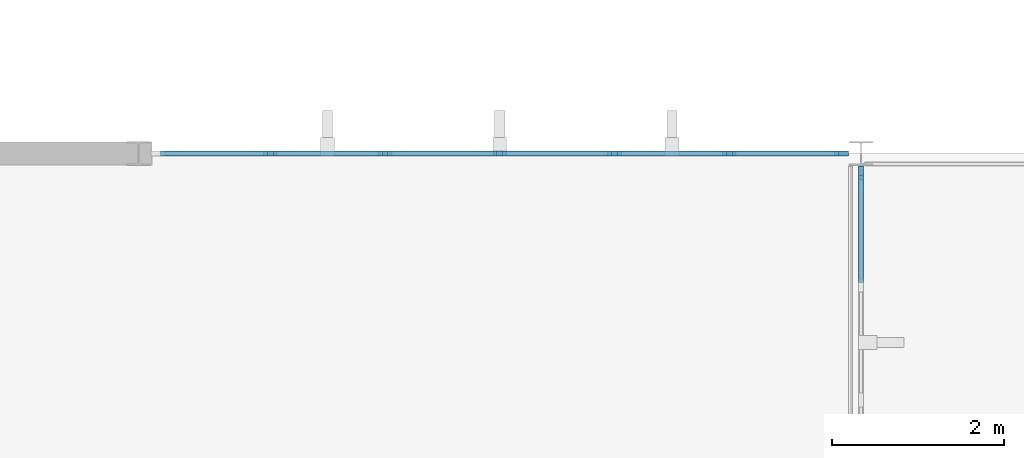
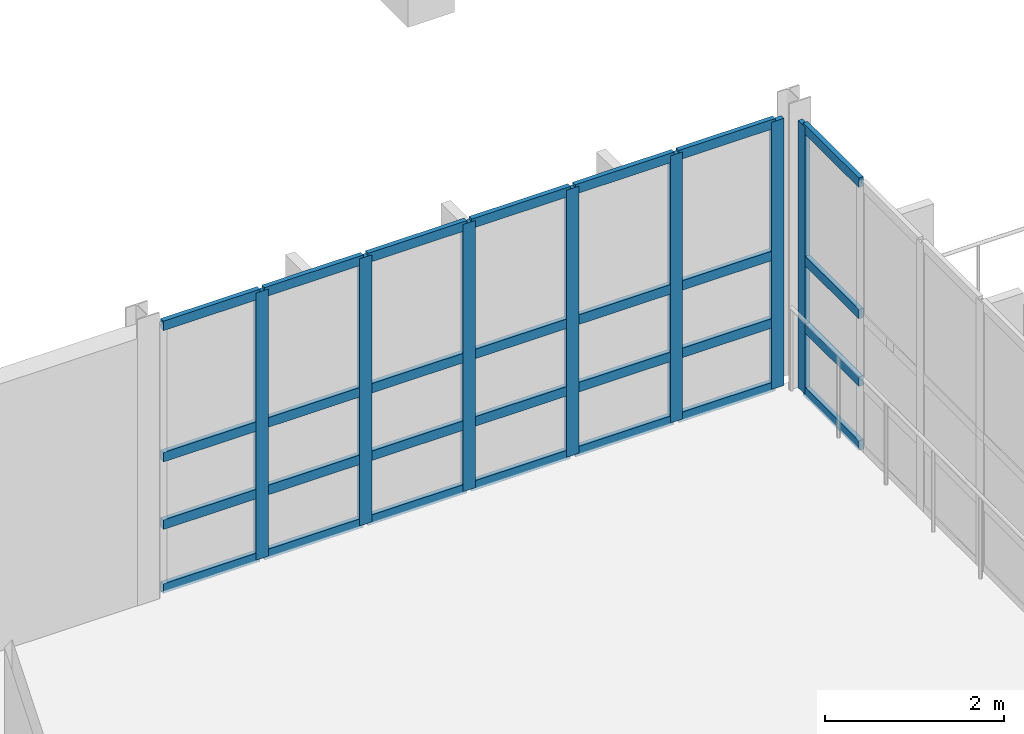
# One storey, part 17 of 35: 35 members, 2 elements without a shape of their own.
"""IFC4 building model written with IfcOpenShell, lengths in metres."""

import ifcopenshell
import ifcopenshell.guid

model = None  # the IFC model being written
_history = None  # IfcOwnerHistory: only IFC2X3 demands one
_inside = {}  # id of a spatial element -> (the spatial element, [elements in it])
_under = {}  # id of a project, library or spatial element -> (it, [spatial elements below it])
_declared = {}  # id of a project -> (the project, [libraries it declares])
_typed = {}  # id of a type object -> (the type object, [elements of that type])
_made_of = {}  # id of a material, layer set ... -> (it, [elements and type objects made of it])


def new_model(schema):
    """Start an empty IFC model of exactly this schema.

    Asked for "IFC4X3", IfcOpenShell would pick the latest addendum, in which some entities
    have other attributes; the version numbers below select the first issue.
    IFC2X3 requires an IfcOwnerHistory on every rooted entity: one is made here for all.
    """
    global model, _history
    if schema == "IFC4X3":
        model = ifcopenshell.file(schema_version=(4, 3, 0, 0))
    else:
        model = ifcopenshell.file(schema=schema)
    _inside.clear()
    _under.clear()
    _declared.clear()
    _typed.clear()
    _made_of.clear()
    _history = None
    if model.schema == "IFC2X3":
        org = make("IfcOrganization", Name="unknown")
        user = make(
            "IfcPersonAndOrganization",
            ThePerson=make("IfcPerson", FamilyName="unknown"),
            TheOrganization=org,
        )
        app = make(
            "IfcApplication",
            ApplicationDeveloper=org,
            Version="unknown",
            ApplicationFullName="unknown",
            ApplicationIdentifier="unknown",
        )
        _history = make(
            "IfcOwnerHistory",
            OwningUser=user,
            OwningApplication=app,
            ChangeAction="ADDED",
            CreationDate=0,
        )
    return model


def make(cls, **values):
    """One entity of the class cls with the attributes given. An attribute that is None is left unset."""
    return model.create_entity(
        cls, **{name: value for name, value in values.items() if value is not None}
    )


def rooted(cls, **values):
    """An entity with a GlobalId (a new one), such as an element, a storey or a relation."""
    return make(cls, GlobalId=ifcopenshell.guid.new(), OwnerHistory=_history, **values)


def si_unit(unit_type, name, prefix=None):
    """IfcSIUnit, for example si_unit("LENGTHUNIT", "METRE", prefix="MILLI")."""
    return make("IfcSIUnit", UnitType=unit_type, Prefix=prefix, Name=name)


def assignment(units):
    """IfcUnitAssignment: the units of a project."""
    return None if units is None else make("IfcUnitAssignment", Units=units)


def point(xyz):
    """IfcCartesianPoint."""
    return None if xyz is None else make("IfcCartesianPoint", Coordinates=xyz)


def direction(xyz):
    """IfcDirection."""
    return None if xyz is None else make("IfcDirection", DirectionRatios=xyz)


def frame(location, z_axis=None, x_axis=None):
    """IfcAxis2Placement3D, a coordinate frame: its origin and axes. An axis left out is left unset."""
    return make(
        "IfcAxis2Placement3D",
        Location=point(location),
        Axis=direction(z_axis),
        RefDirection=direction(x_axis),
    )


def frame_2d(location, x_axis=None):
    """IfcAxis2Placement2D, a coordinate frame in the plane: its origin and x axis."""
    return make(
        "IfcAxis2Placement2D", Location=point(location), RefDirection=direction(x_axis)
    )


def origin():
    """The frame at (0, 0, 0) with its axes left unset."""
    return frame((0.0, 0.0, 0.0))


def origin_2d():
    """The frame at (0, 0) in the plane with its x axis left unset."""
    return frame_2d((0.0, 0.0))


def place(relative_to, where):
    """IfcLocalPlacement: puts the frame where relative to a parent placement (None: the world)."""
    return make(
        "IfcLocalPlacement", PlacementRelTo=relative_to, RelativePlacement=where
    )


def context(
    kind, dimensions, precision=None, world=None, true_north=None, identifier=None
):
    """IfcGeometricRepresentationContext, for example the 3D "Model" context."""
    return make(
        "IfcGeometricRepresentationContext",
        ContextIdentifier=identifier,
        ContextType=kind,
        CoordinateSpaceDimension=dimensions,
        Precision=precision,
        WorldCoordinateSystem=world,
        TrueNorth=true_north,
    )


def subcontext(parent, identifier, kind, view, scale=None):
    """IfcGeometricRepresentationSubContext, for example "Body" below "Model"."""
    return make(
        "IfcGeometricRepresentationSubContext",
        ContextIdentifier=identifier,
        ContextType=kind,
        ParentContext=parent,
        TargetScale=scale,
        TargetView=view,
    )


def project(units=None, contexts=None):
    """IfcProject with its units and contexts."""
    return rooted(
        "IfcProject",
        Name="project",
        RepresentationContexts=contexts,
        UnitsInContext=assignment(units),
    )


def spatial(cls, under=None, at=None, **own):
    """A site, building, storey or space (cls), placed at a placement, below another one or the project."""
    s = rooted(cls, ObjectPlacement=at, **own)
    if under is not None:
        _under.setdefault(under.id(), (under, []))[1].append(s)
    return s


def profile(cls, at=None, kind="AREA", **sizes):
    """A parametric profile (cls). Its sizes go by their IFC names, for example OverallWidth=200.0."""
    return make(cls, ProfileType=kind, Position=at, **sizes)


def rectangle(**sizes):
    """IfcRectangleProfileDef."""
    return profile("IfcRectangleProfileDef", **sizes)


def extrude(swept, where, along, depth):
    """IfcExtrudedAreaSolid: the profile swept, set in the frame where, extruded along a direction by depth."""
    return make(
        "IfcExtrudedAreaSolid",
        SweptArea=swept,
        Position=where,
        ExtrudedDirection=direction(along),
        Depth=depth,
    )


def shape(context_of_items, identifier, shape_type, items):
    """IfcShapeRepresentation: the items that make up one representation, for example the "Body"."""
    return make(
        "IfcShapeRepresentation",
        ContextOfItems=context_of_items,
        RepresentationIdentifier=identifier,
        RepresentationType=shape_type,
        Items=items,
    )


def material(Name=None, Category=None):
    """IfcMaterial."""
    return make("IfcMaterial", Name=Name, Category=Category)


def material_profile(
    of_material, cross_section, Name=None, Category=None, Priority=None
):
    """IfcMaterialProfile: a cross section and its material."""
    return make(
        "IfcMaterialProfile",
        Name=Name,
        Material=of_material,
        Profile=cross_section,
        Priority=Priority,
        Category=Category,
    )


def profile_set(profiles, Name=None, composite=None):
    """IfcMaterialProfileSet."""
    return make(
        "IfcMaterialProfileSet",
        Name=Name,
        MaterialProfiles=profiles,
        CompositeProfile=composite,
    )


def made_of(thing, what):
    """Note that an element or type object is made of a material, layer set ...; save() writes the relation."""
    if what is not None:
        _made_of.setdefault(what.id(), (what, []))[1].append(thing)
    return thing


def type_object(cls, material=None, **own):
    """A type object (cls), such as IfcWallType, which elements share."""
    return made_of(rooted(cls, **own), material)


def element(
    cls,
    number,
    at=None,
    inside=None,
    cuts=None,
    type_object=None,
    material=None,
    context=None,
    identifier="Body",
    shape_type=None,
    held_by="IfcProductDefinitionShape",
    body=None,
    shapes=None,
    **own,
):
    """One element of the class cls, such as IfcWall. Its Tag is "e" and its number.

    at: its placement. inside: the storey or other place that contains it. cuts: it is an
    opening in that element (IfcRelVoidsElement). A single representation is given by context,
    identifier, shape_type and body (its items); several are given by shapes. held_by: the class
    of the entity that holds the representations. save() writes the other relations.
    """
    e = rooted(cls, Tag="e%d" % number, ObjectPlacement=at, **own)
    if body is not None:
        shapes = [shape(context, identifier, shape_type, body)]
    if shapes is not None:
        e.Representation = make(held_by, Representations=shapes)
    if inside is not None:
        _inside.setdefault(inside.id(), (inside, []))[1].append(e)
    if cuts is not None:
        rooted(
            "IfcRelVoidsElement", RelatingBuildingElement=cuts, RelatedOpeningElement=e
        )
    if type_object is not None:
        _typed.setdefault(type_object.id(), (type_object, []))[1].append(e)
    return made_of(e, material)


def aggregate(whole, parts):
    """IfcRelAggregates: a whole, such as a stair, and the parts it consists of."""
    return rooted("IfcRelAggregates", RelatingObject=whole, RelatedObjects=parts)


def save(model, path):
    """Write the relations noted so far, then the file.

    IfcRelAggregates (storeys below a building ...), IfcRelContainedInSpatialStructure (elements
    in a storey), IfcRelDefinesByType, IfcRelAssociatesMaterial and IfcRelDeclares: one each for
    every whole, place, type object, material and project.
    """
    for whole, parts in _under.values():
        aggregate(whole, parts)
    for where, things in _inside.values():
        rooted(
            "IfcRelContainedInSpatialStructure",
            RelatedElements=things,
            RelatingStructure=where,
        )
    for kind, things in _typed.values():
        rooted("IfcRelDefinesByType", RelatedObjects=things, RelatingType=kind)
    for what, things in _made_of.values():
        rooted("IfcRelAssociatesMaterial", RelatedObjects=things, RelatingMaterial=what)
    for by, libraries in _declared.values():
        rooted("IfcRelDeclares", RelatingContext=by, RelatedDefinitions=libraries)
    model.write(path)


model = new_model("IFC4")

# Units and contexts
model_context = context("Model", 3, precision=1e-05, world=origin(), true_north=direction((0.0, 1.0)))
body_context = subcontext(model_context, "Body", "Model", "MODEL_VIEW")
ifc_project = project(units=[si_unit("LENGTHUNIT", "METRE"), si_unit("AREAUNIT", "SQUARE_METRE"), si_unit("VOLUMEUNIT", "CUBIC_METRE"), si_unit("PLANEANGLEUNIT", "RADIAN"), si_unit("MASSUNIT", "GRAM", prefix="KILO")], contexts=[model_context])

# Site, building, storey
site_placement = place(None, origin())
site = spatial("IfcSite", under=ifc_project, at=site_placement, CompositionType="ELEMENT")
building_placement = place(site_placement, origin())
building = spatial("IfcBuilding", under=site, at=building_placement, Name="Tizgana Railside Sports Hall", CompositionType="ELEMENT")
storey_placement = place(building_placement, frame((0.0, 0.0, 15.89990234375)))
storey = spatial("IfcBuildingStorey", under=building, at=storey_placement, Name="L03", CompositionType="ELEMENT", Elevation=15.89990234375)

# Curtain wall, members
ifc_material_1 = material(Name="Anodised aluminium and glass", Category="aluminium")
curtain_wall_type_1 = type_object("IfcCurtainWallType", Name="Unitised Curtain Wall EastHall 1500", PredefinedType="NOTDEFINED", material=ifc_material_1)
curtain_wall_1_placement = place(storey_placement, origin())
curtain_wall_1 = element("IfcCurtainWall", 1, at=curtain_wall_1_placement, inside=storey, type_object=curtain_wall_type_1, Name="L03 Curtain Wall CW-0127", PredefinedType="NOTDEFINED")
ifc_material_2 = material(Name="Anodised aluminium", Category="aluminium")
ifc_material_profile_1 = material_profile(ifc_material_2, rectangle(XDim=0.06005859375, YDim=0.159912109375, at=origin_2d()), Name="Mullion 60x160")
ifc_profile_set_1 = profile_set([ifc_material_profile_1], Name="Anodised aluminium")
member_type_1 = type_object("IfcMemberType", Name="Mullion 60x160", PredefinedType="MULLION", material=ifc_profile_set_1)
member_1_placement = place(storey_placement, frame((72.929931640625, 32.39990234375, 0.0), z_axis=(0.0, 0.0, 1.0), x_axis=(0.0, 1.0, 0.0)))
member_1 = element("IfcMember", 2, at=member_1_placement, type_object=member_type_1, Name="CW-08 mullion 2", PredefinedType="MULLION", context=body_context, shape_type="SweptSolid", body=[
    extrude(rectangle(XDim=0.06005859375, YDim=0.159912109375, at=origin_2d()), origin(), (0.0, 0.0, 1.0), 3.64013671875),
])
member_2_placement = place(storey_placement, frame((74.264892578125, 32.39990234375, 0.0), z_axis=(0.0, 0.0, 1.0), x_axis=(0.0, 1.0, 0.0)))
member_2 = element("IfcMember", 3, at=member_2_placement, type_object=member_type_1, Name="CW-08 mullion 3", PredefinedType="MULLION", context=body_context, shape_type="SweptSolid", body=[
    extrude(rectangle(XDim=0.06005859375, YDim=0.159912109375, at=origin_2d()), origin(), (0.0, 0.0, 1.0), 3.64013671875),
])
member_3_placement = place(storey_placement, frame((75.60009765625, 32.39990234375, 0.0), z_axis=(0.0, 0.0, 1.0), x_axis=(0.0, 1.0, 0.0)))
member_3 = element("IfcMember", 4, at=member_3_placement, type_object=member_type_1, Name="CW-08 mullion 4", PredefinedType="MULLION", context=body_context, shape_type="SweptSolid", body=[
    extrude(rectangle(XDim=0.06005859375, YDim=0.159912109375, at=origin_2d()), origin(), (0.0, 0.0, 1.0), 3.64013671875),
])
member_4_placement = place(storey_placement, frame((76.93505859375, 32.39990234375, 0.0), z_axis=(0.0, 0.0, 1.0), x_axis=(0.0, 1.0, 0.0)))
member_4 = element("IfcMember", 5, at=member_4_placement, type_object=member_type_1, Name="CW-08 mullion 5", PredefinedType="MULLION", context=body_context, shape_type="SweptSolid", body=[
    extrude(rectangle(XDim=0.06005859375, YDim=0.159912109375, at=origin_2d()), origin(), (0.0, 0.0, 1.0), 3.64013671875),
])
member_5_placement = place(storey_placement, frame((78.27001953125, 32.39990234375, 0.0), z_axis=(0.0, 0.0, 1.0), x_axis=(0.0, 1.0, 0.0)))
member_5 = element("IfcMember", 6, at=member_5_placement, type_object=member_type_1, Name="CW-08 mullion 6", PredefinedType="MULLION", context=body_context, shape_type="SweptSolid", body=[
    extrude(rectangle(XDim=0.06005859375, YDim=0.159912109375, at=origin_2d()), origin(), (0.0, 0.0, 1.0), 3.64013671875),
])
member_6_placement = place(storey_placement, frame((79.574951171875, 32.39990234375, 0.0), z_axis=(0.0, 0.0, 1.0), x_axis=(0.0, 1.0, 0.0)))
member_6 = element("IfcMember", 7, at=member_6_placement, type_object=member_type_1, Name="CW-08 mullion 7", PredefinedType="MULLION", context=body_context, shape_type="SweptSolid", body=[
    extrude(rectangle(XDim=0.06005859375, YDim=0.159912109375, at=origin_2d()), origin(), (0.0, 0.0, 1.0), 3.64013671875),
])

# Curtain wall, member
curtain_wall_type_2 = type_object("IfcCurtainWallType", Name="Unitised Curtain Wall Passage 1800", PredefinedType="NOTDEFINED", material=ifc_material_1)
curtain_wall_2_placement = place(storey_placement, origin())
curtain_wall_2 = element("IfcCurtainWall", 8, at=curtain_wall_2_placement, inside=storey, type_object=curtain_wall_type_2, Name="L03 Curtain Wall CW-0133", PredefinedType="NOTDEFINED")
member_7_placement = place(storey_placement, frame((79.800048828125, 32.175048828125, 0.0), z_axis=(0.0, 0.0, 1.0), x_axis=(1.0, 0.0, 0.0)))
member_7 = element("IfcMember", 9, at=member_7_placement, type_object=member_type_1, Name="CW-06 mullion 1", PredefinedType="MULLION", context=body_context, shape_type="SweptSolid", body=[
    extrude(rectangle(XDim=0.06005859375, YDim=0.159912109375, at=origin_2d()), origin(), (0.0, 0.0, 1.0), 3.64013671875),
])

# Member
ifc_material_profile_2 = material_profile(ifc_material_2, rectangle(XDim=0.06005859375, YDim=0.1298828125, at=origin_2d()), Name="Transom 60x130")
ifc_profile_set_2 = profile_set([ifc_material_profile_2], Name="Anodised aluminium")
member_type_2 = type_object("IfcMemberType", Name="Transom 60x130", PredefinedType="USERDEFINED", material=ifc_profile_set_2)
member_8_placement = place(storey_placement, frame((71.655029296875, 32.39990234375, 0.030029296875), z_axis=(1.0, 0.0, 0.0), x_axis=(0.0, 1.0, 0.0)))
member_8 = element("IfcMember", 10, at=member_8_placement, type_object=member_type_2, Name="CW-08 transom 1.1", ObjectType="TRANSOM", PredefinedType="USERDEFINED", context=body_context, shape_type="SweptSolid", body=[
    extrude(rectangle(XDim=0.06005859375, YDim=0.1298828125, at=origin_2d()), origin(), (0.0, 0.0, 1.0), 1.244873046875),
])

member_9_placement = place(storey_placement, frame((71.655029296875, 32.39990234375, 0.900146484375), z_axis=(1.0, 0.0, 0.0), x_axis=(0.0, 1.0, 0.0)))
member_9 = element("IfcMember", 11, at=member_9_placement, type_object=member_type_2, Name="CW-08 transom 1.2", ObjectType="TRANSOM", PredefinedType="USERDEFINED", context=body_context, shape_type="SweptSolid", body=[
    extrude(rectangle(XDim=0.06005859375, YDim=0.1298828125, at=origin_2d()), origin(), (0.0, 0.0, 1.0), 1.244873046875),
])

member_10_placement = place(storey_placement, frame((71.655029296875, 32.39990234375, 1.820068359375), z_axis=(1.0, 0.0, 0.0), x_axis=(0.0, 1.0, 0.0)))
member_10 = element("IfcMember", 12, at=member_10_placement, type_object=member_type_2, Name="CW-08 transom 1.3", ObjectType="TRANSOM", PredefinedType="USERDEFINED", context=body_context, shape_type="SweptSolid", body=[
    extrude(rectangle(XDim=0.06005859375, YDim=0.1298828125, at=origin_2d()), origin(), (0.0, 0.0, 1.0), 1.244873046875),
])

member_11_placement = place(storey_placement, frame((71.655029296875, 32.39990234375, 3.610107421875), z_axis=(1.0, 0.0, 0.0), x_axis=(0.0, 1.0, 0.0)))
member_11 = element("IfcMember", 13, at=member_11_placement, type_object=member_type_2, Name="CW-08 transom 1.4", ObjectType="TRANSOM", PredefinedType="USERDEFINED", context=body_context, shape_type="SweptSolid", body=[
    extrude(rectangle(XDim=0.06005859375, YDim=0.1298828125, at=origin_2d()), origin(), (0.0, 0.0, 1.0), 1.244873046875),
])

member_12_placement = place(storey_placement, frame((72.9599609375, 32.39990234375, 0.030029296875), z_axis=(1.0, 0.0, 0.0), x_axis=(0.0, 1.0, 0.0)))
member_12 = element("IfcMember", 14, at=member_12_placement, type_object=member_type_2, Name="CW-08 transom 2.1", ObjectType="TRANSOM", PredefinedType="USERDEFINED", context=body_context, shape_type="SweptSolid", body=[
    extrude(rectangle(XDim=0.06005859375, YDim=0.1298828125, at=origin_2d()), origin(), (0.0, 0.0, 1.0), 1.275146484375),
])

member_13_placement = place(storey_placement, frame((72.9599609375, 32.39990234375, 0.900146484375), z_axis=(1.0, 0.0, 0.0), x_axis=(0.0, 1.0, 0.0)))
member_13 = element("IfcMember", 15, at=member_13_placement, type_object=member_type_2, Name="CW-08 transom 2.2", ObjectType="TRANSOM", PredefinedType="USERDEFINED", context=body_context, shape_type="SweptSolid", body=[
    extrude(rectangle(XDim=0.06005859375, YDim=0.1298828125, at=origin_2d()), origin(), (0.0, 0.0, 1.0), 1.275146484375),
])

member_14_placement = place(storey_placement, frame((72.9599609375, 32.39990234375, 1.820068359375), z_axis=(1.0, 0.0, 0.0), x_axis=(0.0, 1.0, 0.0)))
member_14 = element("IfcMember", 16, at=member_14_placement, type_object=member_type_2, Name="CW-08 transom 2.3", ObjectType="TRANSOM", PredefinedType="USERDEFINED", context=body_context, shape_type="SweptSolid", body=[
    extrude(rectangle(XDim=0.06005859375, YDim=0.1298828125, at=origin_2d()), origin(), (0.0, 0.0, 1.0), 1.275146484375),
])

member_15_placement = place(storey_placement, frame((72.9599609375, 32.39990234375, 3.610107421875), z_axis=(1.0, 0.0, 0.0), x_axis=(0.0, 1.0, 0.0)))
member_15 = element("IfcMember", 17, at=member_15_placement, type_object=member_type_2, Name="CW-08 transom 2.4", ObjectType="TRANSOM", PredefinedType="USERDEFINED", context=body_context, shape_type="SweptSolid", body=[
    extrude(rectangle(XDim=0.06005859375, YDim=0.1298828125, at=origin_2d()), origin(), (0.0, 0.0, 1.0), 1.275146484375),
])

member_16_placement = place(storey_placement, frame((74.294921875, 32.39990234375, 0.030029296875), z_axis=(1.0, 0.0, 0.0), x_axis=(0.0, 1.0, 0.0)))
member_16 = element("IfcMember", 18, at=member_16_placement, type_object=member_type_2, Name="CW-08 transom 3.1", ObjectType="TRANSOM", PredefinedType="USERDEFINED", context=body_context, shape_type="SweptSolid", body=[
    extrude(rectangle(XDim=0.06005859375, YDim=0.1298828125, at=origin_2d()), origin(), (0.0, 0.0, 1.0), 1.275146484375),
])

member_17_placement = place(storey_placement, frame((74.294921875, 32.39990234375, 0.900146484375), z_axis=(1.0, 0.0, 0.0), x_axis=(0.0, 1.0, 0.0)))
member_17 = element("IfcMember", 19, at=member_17_placement, type_object=member_type_2, Name="CW-08 transom 3.2", ObjectType="TRANSOM", PredefinedType="USERDEFINED", context=body_context, shape_type="SweptSolid", body=[
    extrude(rectangle(XDim=0.06005859375, YDim=0.1298828125, at=origin_2d()), origin(), (0.0, 0.0, 1.0), 1.275146484375),
])

member_18_placement = place(storey_placement, frame((74.294921875, 32.39990234375, 1.820068359375), z_axis=(1.0, 0.0, 0.0), x_axis=(0.0, 1.0, 0.0)))
member_18 = element("IfcMember", 20, at=member_18_placement, type_object=member_type_2, Name="CW-08 transom 3.3", ObjectType="TRANSOM", PredefinedType="USERDEFINED", context=body_context, shape_type="SweptSolid", body=[
    extrude(rectangle(XDim=0.06005859375, YDim=0.1298828125, at=origin_2d()), origin(), (0.0, 0.0, 1.0), 1.275146484375),
])

member_19_placement = place(storey_placement, frame((74.294921875, 32.39990234375, 3.610107421875), z_axis=(1.0, 0.0, 0.0), x_axis=(0.0, 1.0, 0.0)))
member_19 = element("IfcMember", 21, at=member_19_placement, type_object=member_type_2, Name="CW-08 transom 3.4", ObjectType="TRANSOM", PredefinedType="USERDEFINED", context=body_context, shape_type="SweptSolid", body=[
    extrude(rectangle(XDim=0.06005859375, YDim=0.1298828125, at=origin_2d()), origin(), (0.0, 0.0, 1.0), 1.275146484375),
])

member_20_placement = place(storey_placement, frame((75.6298828125, 32.39990234375, 0.030029296875), z_axis=(1.0, 0.0, 0.0), x_axis=(0.0, 1.0, 0.0)))
member_20 = element("IfcMember", 22, at=member_20_placement, type_object=member_type_2, Name="CW-08 transom 4.1", ObjectType="TRANSOM", PredefinedType="USERDEFINED", context=body_context, shape_type="SweptSolid", body=[
    extrude(rectangle(XDim=0.06005859375, YDim=0.1298828125, at=origin_2d()), origin(), (0.0, 0.0, 1.0), 1.275146484375),
])

member_21_placement = place(storey_placement, frame((75.6298828125, 32.39990234375, 0.900146484375), z_axis=(1.0, 0.0, 0.0), x_axis=(0.0, 1.0, 0.0)))
member_21 = element("IfcMember", 23, at=member_21_placement, type_object=member_type_2, Name="CW-08 transom 4.2", ObjectType="TRANSOM", PredefinedType="USERDEFINED", context=body_context, shape_type="SweptSolid", body=[
    extrude(rectangle(XDim=0.06005859375, YDim=0.1298828125, at=origin_2d()), origin(), (0.0, 0.0, 1.0), 1.275146484375),
])

member_22_placement = place(storey_placement, frame((75.6298828125, 32.39990234375, 1.820068359375), z_axis=(1.0, 0.0, 0.0), x_axis=(0.0, 1.0, 0.0)))
member_22 = element("IfcMember", 24, at=member_22_placement, type_object=member_type_2, Name="CW-08 transom 4.3", ObjectType="TRANSOM", PredefinedType="USERDEFINED", context=body_context, shape_type="SweptSolid", body=[
    extrude(rectangle(XDim=0.06005859375, YDim=0.1298828125, at=origin_2d()), origin(), (0.0, 0.0, 1.0), 1.275146484375),
])

member_23_placement = place(storey_placement, frame((75.6298828125, 32.39990234375, 3.610107421875), z_axis=(1.0, 0.0, 0.0), x_axis=(0.0, 1.0, 0.0)))
member_23 = element("IfcMember", 25, at=member_23_placement, type_object=member_type_2, Name="CW-08 transom 4.4", ObjectType="TRANSOM", PredefinedType="USERDEFINED", context=body_context, shape_type="SweptSolid", body=[
    extrude(rectangle(XDim=0.06005859375, YDim=0.1298828125, at=origin_2d()), origin(), (0.0, 0.0, 1.0), 1.275146484375),
])

member_24_placement = place(storey_placement, frame((76.965087890625, 32.39990234375, 0.030029296875), z_axis=(1.0, 0.0, 0.0), x_axis=(0.0, 1.0, 0.0)))
member_24 = element("IfcMember", 26, at=member_24_placement, type_object=member_type_2, Name="CW-08 transom 5.1", ObjectType="TRANSOM", PredefinedType="USERDEFINED", context=body_context, shape_type="SweptSolid", body=[
    extrude(rectangle(XDim=0.06005859375, YDim=0.1298828125, at=origin_2d()), origin(), (0.0, 0.0, 1.0), 1.27490234375),
])

member_25_placement = place(storey_placement, frame((76.965087890625, 32.39990234375, 0.900146484375), z_axis=(1.0, 0.0, 0.0), x_axis=(0.0, 1.0, 0.0)))
member_25 = element("IfcMember", 27, at=member_25_placement, type_object=member_type_2, Name="CW-08 transom 5.2", ObjectType="TRANSOM", PredefinedType="USERDEFINED", context=body_context, shape_type="SweptSolid", body=[
    extrude(rectangle(XDim=0.06005859375, YDim=0.1298828125, at=origin_2d()), origin(), (0.0, 0.0, 1.0), 1.27490234375),
])

member_26_placement = place(storey_placement, frame((76.965087890625, 32.39990234375, 1.820068359375), z_axis=(1.0, 0.0, 0.0), x_axis=(0.0, 1.0, 0.0)))
member_26 = element("IfcMember", 28, at=member_26_placement, type_object=member_type_2, Name="CW-08 transom 5.3", ObjectType="TRANSOM", PredefinedType="USERDEFINED", context=body_context, shape_type="SweptSolid", body=[
    extrude(rectangle(XDim=0.06005859375, YDim=0.1298828125, at=origin_2d()), origin(), (0.0, 0.0, 1.0), 1.27490234375),
])

member_27_placement = place(storey_placement, frame((76.965087890625, 32.39990234375, 3.610107421875), z_axis=(1.0, 0.0, 0.0), x_axis=(0.0, 1.0, 0.0)))
member_27 = element("IfcMember", 29, at=member_27_placement, type_object=member_type_2, Name="CW-08 transom 5.4", ObjectType="TRANSOM", PredefinedType="USERDEFINED", context=body_context, shape_type="SweptSolid", body=[
    extrude(rectangle(XDim=0.06005859375, YDim=0.1298828125, at=origin_2d()), origin(), (0.0, 0.0, 1.0), 1.27490234375),
])

member_28_placement = place(storey_placement, frame((78.300048828125, 32.39990234375, 0.030029296875), z_axis=(1.0, 0.0, 0.0), x_axis=(0.0, 1.0, 0.0)))
member_28 = element("IfcMember", 30, at=member_28_placement, type_object=member_type_2, Name="CW-08 transom 6.1", ObjectType="TRANSOM", PredefinedType="USERDEFINED", context=body_context, shape_type="SweptSolid", body=[
    extrude(rectangle(XDim=0.06005859375, YDim=0.1298828125, at=origin_2d()), origin(), (0.0, 0.0, 1.0), 1.244873046875),
])

member_29_placement = place(storey_placement, frame((78.300048828125, 32.39990234375, 0.900146484375), z_axis=(1.0, 0.0, 0.0), x_axis=(0.0, 1.0, 0.0)))
member_29 = element("IfcMember", 31, at=member_29_placement, type_object=member_type_2, Name="CW-08 transom 6.2", ObjectType="TRANSOM", PredefinedType="USERDEFINED", context=body_context, shape_type="SweptSolid", body=[
    extrude(rectangle(XDim=0.06005859375, YDim=0.1298828125, at=origin_2d()), origin(), (0.0, 0.0, 1.0), 1.244873046875),
])

member_30_placement = place(storey_placement, frame((78.300048828125, 32.39990234375, 1.820068359375), z_axis=(1.0, 0.0, 0.0), x_axis=(0.0, 1.0, 0.0)))
member_30 = element("IfcMember", 32, at=member_30_placement, type_object=member_type_2, Name="CW-08 transom 6.3", ObjectType="TRANSOM", PredefinedType="USERDEFINED", context=body_context, shape_type="SweptSolid", body=[
    extrude(rectangle(XDim=0.06005859375, YDim=0.1298828125, at=origin_2d()), origin(), (0.0, 0.0, 1.0), 1.244873046875),
])

member_31_placement = place(storey_placement, frame((78.300048828125, 32.39990234375, 3.610107421875), z_axis=(1.0, 0.0, 0.0), x_axis=(0.0, 1.0, 0.0)))
member_31 = element("IfcMember", 33, at=member_31_placement, type_object=member_type_2, Name="CW-08 transom 6.4", ObjectType="TRANSOM", PredefinedType="USERDEFINED", context=body_context, shape_type="SweptSolid", body=[
    extrude(rectangle(XDim=0.06005859375, YDim=0.1298828125, at=origin_2d()), origin(), (0.0, 0.0, 1.0), 1.244873046875),
])

aggregate(curtain_wall_1, [member_1, member_2, member_3, member_4, member_5, member_6, member_8, member_9, member_10, member_11, member_12, member_13, member_14, member_15, member_16, member_17, member_18, member_19, member_20, member_21, member_22, member_23, member_24, member_25, member_26, member_27, member_28, member_29, member_30, member_31])

member_32_placement = place(storey_placement, frame((79.800048828125, 32.14501953125, 0.030029296875), z_axis=(0.0, -1.0, 0.0), x_axis=(1.0, 0.0, 0.0)))
member_32 = element("IfcMember", 34, at=member_32_placement, type_object=member_type_2, Name="CW-06 transom 1.1", ObjectType="TRANSOM", PredefinedType="USERDEFINED", context=body_context, shape_type="SweptSolid", body=[
    extrude(rectangle(XDim=0.06005859375, YDim=0.1298828125, at=origin_2d()), origin(), (0.0, 0.0, 1.0), 1.2451171875),
])

member_33_placement = place(storey_placement, frame((79.800048828125, 32.14501953125, 0.900146484375), z_axis=(0.0, -1.0, 0.0), x_axis=(1.0, 0.0, 0.0)))
member_33 = element("IfcMember", 35, at=member_33_placement, type_object=member_type_2, Name="CW-06 transom 1.2", ObjectType="TRANSOM", PredefinedType="USERDEFINED", context=body_context, shape_type="SweptSolid", body=[
    extrude(rectangle(XDim=0.06005859375, YDim=0.1298828125, at=origin_2d()), origin(), (0.0, 0.0, 1.0), 1.2451171875),
])

member_34_placement = place(storey_placement, frame((79.800048828125, 32.14501953125, 1.820068359375), z_axis=(0.0, -1.0, 0.0), x_axis=(1.0, 0.0, 0.0)))
member_34 = element("IfcMember", 36, at=member_34_placement, type_object=member_type_2, Name="CW-06 transom 1.3", ObjectType="TRANSOM", PredefinedType="USERDEFINED", context=body_context, shape_type="SweptSolid", body=[
    extrude(rectangle(XDim=0.06005859375, YDim=0.1298828125, at=origin_2d()), origin(), (0.0, 0.0, 1.0), 1.2451171875),
])

member_35_placement = place(storey_placement, frame((79.800048828125, 32.14501953125, 3.610107421875), z_axis=(0.0, -1.0, 0.0), x_axis=(1.0, 0.0, 0.0)))
member_35 = element("IfcMember", 37, at=member_35_placement, type_object=member_type_2, Name="CW-06 transom 1.4", ObjectType="TRANSOM", PredefinedType="USERDEFINED", context=body_context, shape_type="SweptSolid", body=[
    extrude(rectangle(XDim=0.06005859375, YDim=0.1298828125, at=origin_2d()), origin(), (0.0, 0.0, 1.0), 1.2451171875),
])

aggregate(curtain_wall_2, [member_7, member_32, member_33, member_34, member_35])

save(model, "model.ifc")
